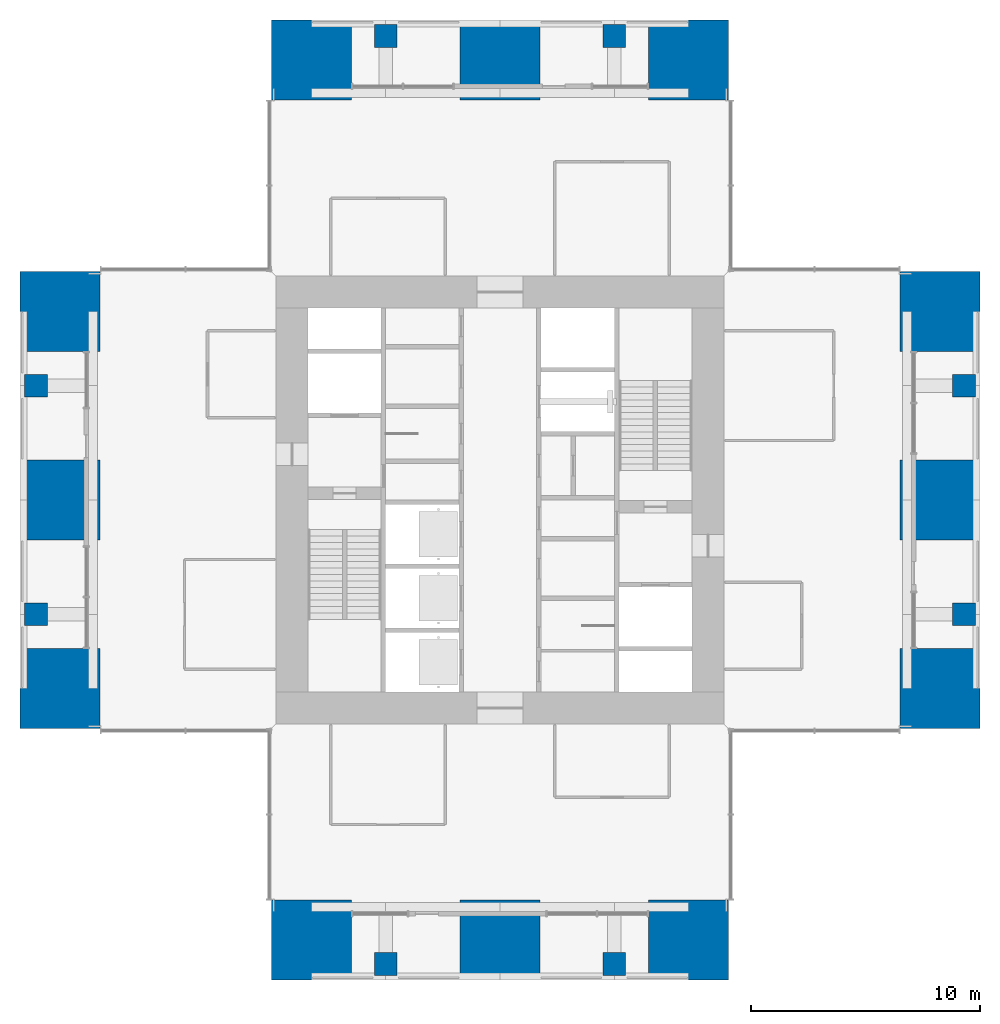
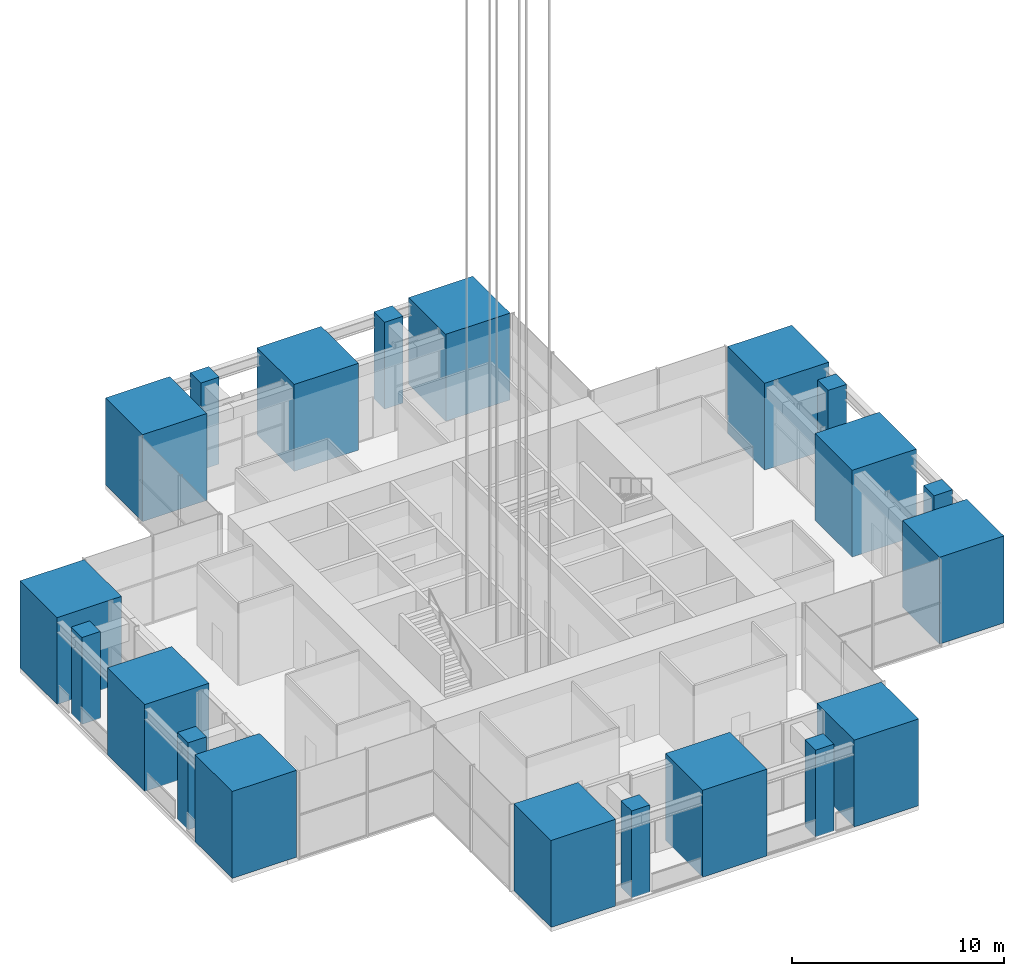
# One storey, part 1 of 17: 20 columns.
"""IFC4 building model written with IfcOpenShell, lengths in metres."""

import ifcopenshell
import ifcopenshell.guid

model = None  # the IFC model being written
_history = None  # IfcOwnerHistory: only IFC2X3 demands one
_inside = {}  # id of a spatial element -> (the spatial element, [elements in it])
_under = {}  # id of a project, library or spatial element -> (it, [spatial elements below it])
_declared = {}  # id of a project -> (the project, [libraries it declares])
_typed = {}  # id of a type object -> (the type object, [elements of that type])
_made_of = {}  # id of a material, layer set ... -> (it, [elements and type objects made of it])


def new_model(schema):
    """Start an empty IFC model of exactly this schema.

    Asked for "IFC4X3", IfcOpenShell would pick the latest addendum, in which some entities
    have other attributes; the version numbers below select the first issue.
    IFC2X3 requires an IfcOwnerHistory on every rooted entity: one is made here for all.
    """
    global model, _history
    if schema == "IFC4X3":
        model = ifcopenshell.file(schema_version=(4, 3, 0, 0))
    else:
        model = ifcopenshell.file(schema=schema)
    _inside.clear()
    _under.clear()
    _declared.clear()
    _typed.clear()
    _made_of.clear()
    _history = None
    if model.schema == "IFC2X3":
        org = make("IfcOrganization", Name="unknown")
        user = make(
            "IfcPersonAndOrganization",
            ThePerson=make("IfcPerson", FamilyName="unknown"),
            TheOrganization=org,
        )
        app = make(
            "IfcApplication",
            ApplicationDeveloper=org,
            Version="unknown",
            ApplicationFullName="unknown",
            ApplicationIdentifier="unknown",
        )
        _history = make(
            "IfcOwnerHistory",
            OwningUser=user,
            OwningApplication=app,
            ChangeAction="ADDED",
            CreationDate=0,
        )
    return model


def make(cls, **values):
    """One entity of the class cls with the attributes given. An attribute that is None is left unset."""
    return model.create_entity(
        cls, **{name: value for name, value in values.items() if value is not None}
    )


def rooted(cls, **values):
    """An entity with a GlobalId (a new one), such as an element, a storey or a relation."""
    return make(cls, GlobalId=ifcopenshell.guid.new(), OwnerHistory=_history, **values)


def si_unit(unit_type, name, prefix=None):
    """IfcSIUnit, for example si_unit("LENGTHUNIT", "METRE", prefix="MILLI")."""
    return make("IfcSIUnit", UnitType=unit_type, Prefix=prefix, Name=name)


def assignment(units):
    """IfcUnitAssignment: the units of a project."""
    return None if units is None else make("IfcUnitAssignment", Units=units)


def point(xyz):
    """IfcCartesianPoint."""
    return None if xyz is None else make("IfcCartesianPoint", Coordinates=xyz)


def direction(xyz):
    """IfcDirection."""
    return None if xyz is None else make("IfcDirection", DirectionRatios=xyz)


def frame(location, z_axis=None, x_axis=None):
    """IfcAxis2Placement3D, a coordinate frame: its origin and axes. An axis left out is left unset."""
    return make(
        "IfcAxis2Placement3D",
        Location=point(location),
        Axis=direction(z_axis),
        RefDirection=direction(x_axis),
    )


def frame_2d(location, x_axis=None):
    """IfcAxis2Placement2D, a coordinate frame in the plane: its origin and x axis."""
    return make(
        "IfcAxis2Placement2D", Location=point(location), RefDirection=direction(x_axis)
    )


def origin():
    """The frame at (0, 0, 0) with its axes left unset."""
    return frame((0.0, 0.0, 0.0))


def origin_2d():
    """The frame at (0, 0) in the plane with its x axis left unset."""
    return frame_2d((0.0, 0.0))


def place(relative_to, where):
    """IfcLocalPlacement: puts the frame where relative to a parent placement (None: the world)."""
    return make(
        "IfcLocalPlacement", PlacementRelTo=relative_to, RelativePlacement=where
    )


def context(
    kind, dimensions, precision=None, world=None, true_north=None, identifier=None
):
    """IfcGeometricRepresentationContext, for example the 3D "Model" context."""
    return make(
        "IfcGeometricRepresentationContext",
        ContextIdentifier=identifier,
        ContextType=kind,
        CoordinateSpaceDimension=dimensions,
        Precision=precision,
        WorldCoordinateSystem=world,
        TrueNorth=true_north,
    )


def subcontext(parent, identifier, kind, view, scale=None):
    """IfcGeometricRepresentationSubContext, for example "Body" below "Model"."""
    return make(
        "IfcGeometricRepresentationSubContext",
        ContextIdentifier=identifier,
        ContextType=kind,
        ParentContext=parent,
        TargetScale=scale,
        TargetView=view,
    )


def project(units=None, contexts=None):
    """IfcProject with its units and contexts."""
    return rooted(
        "IfcProject",
        Name="project",
        RepresentationContexts=contexts,
        UnitsInContext=assignment(units),
    )


def spatial(cls, under=None, at=None, **own):
    """A site, building, storey or space (cls), placed at a placement, below another one or the project."""
    s = rooted(cls, ObjectPlacement=at, **own)
    if under is not None:
        _under.setdefault(under.id(), (under, []))[1].append(s)
    return s


def profile(cls, at=None, kind="AREA", **sizes):
    """A parametric profile (cls). Its sizes go by their IFC names, for example OverallWidth=200.0."""
    return make(cls, ProfileType=kind, Position=at, **sizes)


def rectangle(**sizes):
    """IfcRectangleProfileDef."""
    return profile("IfcRectangleProfileDef", **sizes)


def extrude(swept, where, along, depth):
    """IfcExtrudedAreaSolid: the profile swept, set in the frame where, extruded along a direction by depth."""
    return make(
        "IfcExtrudedAreaSolid",
        SweptArea=swept,
        Position=where,
        ExtrudedDirection=direction(along),
        Depth=depth,
    )


def shape(context_of_items, identifier, shape_type, items):
    """IfcShapeRepresentation: the items that make up one representation, for example the "Body"."""
    return make(
        "IfcShapeRepresentation",
        ContextOfItems=context_of_items,
        RepresentationIdentifier=identifier,
        RepresentationType=shape_type,
        Items=items,
    )


def material(Name=None, Category=None):
    """IfcMaterial."""
    return make("IfcMaterial", Name=Name, Category=Category)


def material_profile(
    of_material, cross_section, Name=None, Category=None, Priority=None
):
    """IfcMaterialProfile: a cross section and its material."""
    return make(
        "IfcMaterialProfile",
        Name=Name,
        Material=of_material,
        Profile=cross_section,
        Priority=Priority,
        Category=Category,
    )


def profile_set(profiles, Name=None, composite=None):
    """IfcMaterialProfileSet."""
    return make(
        "IfcMaterialProfileSet",
        Name=Name,
        MaterialProfiles=profiles,
        CompositeProfile=composite,
    )


def made_of(thing, what):
    """Note that an element or type object is made of a material, layer set ...; save() writes the relation."""
    if what is not None:
        _made_of.setdefault(what.id(), (what, []))[1].append(thing)
    return thing


def type_object(cls, material=None, **own):
    """A type object (cls), such as IfcWallType, which elements share."""
    return made_of(rooted(cls, **own), material)


def element(
    cls,
    number,
    at=None,
    inside=None,
    cuts=None,
    type_object=None,
    material=None,
    context=None,
    identifier="Body",
    shape_type=None,
    held_by="IfcProductDefinitionShape",
    body=None,
    shapes=None,
    **own,
):
    """One element of the class cls, such as IfcWall. Its Tag is "e" and its number.

    at: its placement. inside: the storey or other place that contains it. cuts: it is an
    opening in that element (IfcRelVoidsElement). A single representation is given by context,
    identifier, shape_type and body (its items); several are given by shapes. held_by: the class
    of the entity that holds the representations. save() writes the other relations.
    """
    e = rooted(cls, Tag="e%d" % number, ObjectPlacement=at, **own)
    if body is not None:
        shapes = [shape(context, identifier, shape_type, body)]
    if shapes is not None:
        e.Representation = make(held_by, Representations=shapes)
    if inside is not None:
        _inside.setdefault(inside.id(), (inside, []))[1].append(e)
    if cuts is not None:
        rooted(
            "IfcRelVoidsElement", RelatingBuildingElement=cuts, RelatedOpeningElement=e
        )
    if type_object is not None:
        _typed.setdefault(type_object.id(), (type_object, []))[1].append(e)
    return made_of(e, material)


def aggregate(whole, parts):
    """IfcRelAggregates: a whole, such as a stair, and the parts it consists of."""
    return rooted("IfcRelAggregates", RelatingObject=whole, RelatedObjects=parts)


def save(model, path):
    """Write the relations noted so far, then the file.

    IfcRelAggregates (storeys below a building ...), IfcRelContainedInSpatialStructure (elements
    in a storey), IfcRelDefinesByType, IfcRelAssociatesMaterial and IfcRelDeclares: one each for
    every whole, place, type object, material and project.
    """
    for whole, parts in _under.values():
        aggregate(whole, parts)
    for where, things in _inside.values():
        rooted(
            "IfcRelContainedInSpatialStructure",
            RelatedElements=things,
            RelatingStructure=where,
        )
    for kind, things in _typed.values():
        rooted("IfcRelDefinesByType", RelatedObjects=things, RelatingType=kind)
    for what, things in _made_of.values():
        rooted("IfcRelAssociatesMaterial", RelatedObjects=things, RelatingMaterial=what)
    for by, libraries in _declared.values():
        rooted("IfcRelDeclares", RelatingContext=by, RelatedDefinitions=libraries)
    model.write(path)


model = new_model("IFC4")

# Units and contexts
model_context = context("Model", 3, precision=1e-05, world=origin(), true_north=direction((0.0, 1.0)))
body_context = subcontext(model_context, "Body", "Model", "MODEL_VIEW")
ifc_project = project(units=[si_unit("LENGTHUNIT", "METRE"), si_unit("AREAUNIT", "SQUARE_METRE"), si_unit("VOLUMEUNIT", "CUBIC_METRE"), si_unit("PLANEANGLEUNIT", "RADIAN"), si_unit("MASSUNIT", "GRAM", prefix="KILO")], contexts=[model_context])

# Site, building, storey
site_placement = place(None, origin())
site = spatial("IfcSite", under=ifc_project, at=site_placement, CompositionType="ELEMENT")
building_placement = place(site_placement, origin())
building = spatial("IfcBuilding", under=site, at=building_placement, Name="Svetlomir Tower", CompositionType="ELEMENT")
storey_placement = place(building_placement, frame((0.0, 0.0, 165.5)))
storey = spatial("IfcBuildingStorey", under=building, at=storey_placement, Name="L39", CompositionType="ELEMENT", Elevation=165.5)

# Columns
ifc_material_1 = material(Name="Concrete C60/75", Category="concrete")
ifc_material_profile_1 = material_profile(ifc_material_1, rectangle(XDim=1.0, YDim=1.0, at=origin_2d()), Name="RC 1000x1000")
ifc_profile_set_1 = profile_set([ifc_material_profile_1], Name="Concrete C60/75")
column_type_1 = type_object("IfcColumnType", Name="COLUMN RC 1000x1000", PredefinedType="COLUMN", material=ifc_profile_set_1)
for number, where, z_axis, x_axis, name in (
    (1, (16.0, 0.699951171875, 0.0), (0.0, 0.0, 1.0), (1.0, 0.0, 0.0), "Column 16/0 L39"),
    (2, (26.0, 0.699951171875, 0.0), (0.0, 0.0, 1.0), (1.0, 0.0, 0.0), "Column 26/0 L39"),
    (3, (0.699951171875, 16.0, 0.0), (0.0, 0.0, 1.0), (1.0, 0.0, 0.0), "Column 0/16 L39"),
    (4, (41.300048828125, 16.0, 0.0), (0.0, 0.0, 1.0), (1.0, 0.0, 0.0), "Column 42/16 L39"),
    (5, (0.699951171875, 26.0, 0.0), (0.0, 0.0, 1.0), (1.0, 0.0, 0.0), "Column 0/26 L39"),
    (6, (41.300048828125, 26.0, 0.0), (0.0, 0.0, 1.0), (1.0, 0.0, 0.0), "Column 42/26 L39"),
    (7, (16.0, 41.300048828125, 0.0), (0.0, 0.0, 1.0), (1.0, 0.0, 0.0), "Column 16/42 L39"),
    (8, (26.0, 41.300048828125, 0.0), (0.0, 0.0, 1.0), (1.0, 0.0, 0.0), "Column 26/42 L39"),
):
    element("IfcColumn", number, at=place(storey_placement, frame(where, z_axis=z_axis, x_axis=x_axis)), inside=storey, type_object=column_type_1, Name=name, PredefinedType="COLUMN", context=body_context, shape_type="SweptSolid", body=[
        extrude(rectangle(XDim=1.0, YDim=1.0, at=origin_2d()), origin(), (0.0, 0.0, 1.0), 5.0),
    ])
ifc_material_2 = material(Name="Concrete C60/75", Category="concrete")
ifc_material_profile_2 = material_profile(ifc_material_2, rectangle(XDim=3.5, YDim=3.5, at=origin_2d()), Name="RC 3500x3500")
ifc_profile_set_2 = profile_set([ifc_material_profile_2], Name="Concrete C60/75")
column_type_2 = type_object("IfcColumnType", Name="COLUMN RC 3500x3500", PredefinedType="COLUMN", material=ifc_profile_set_2)
for number, where, z_axis, x_axis, name in (
    (9, (12.75, 1.75, 0.0), (0.0, 0.0, 1.0), (1.0, 0.0, 0.0), "Column 11/0 L39"),
    (10, (21.0, 1.75, 0.0), (0.0, 0.0, 1.0), (1.0, 0.0, 0.0), "Column 21/0 L39"),
    (11, (29.25, 1.75, 0.0), (0.0, 0.0, 1.0), (1.0, 0.0, 0.0), "Column 31/0 L39"),
    (12, (1.75, 12.75, 0.0), (0.0, 0.0, 1.0), (1.0, 0.0, 0.0), "Column 0/11 L39"),
    (13, (40.25, 12.75, 0.0), (0.0, 0.0, 1.0), (1.0, 0.0, 0.0), "Column 42/11 L39"),
    (14, (1.75, 21.0, 0.0), (0.0, 0.0, 1.0), (1.0, 0.0, 0.0), "Column 0/21 L39"),
    (15, (40.25, 21.0, 0.0), (0.0, 0.0, 1.0), (1.0, 0.0, 0.0), "Column 42/21 L39"),
    (16, (1.75, 29.25, 0.0), (0.0, 0.0, 1.0), (1.0, 0.0, 0.0), "Column 0/31 L39"),
    (17, (40.25, 29.25, 0.0), (0.0, 0.0, 1.0), (1.0, 0.0, 0.0), "Column 42/31 L39"),
    (18, (12.75, 40.25, 0.0), (0.0, 0.0, 1.0), (1.0, 0.0, 0.0), "Column 11/42 L39"),
    (19, (21.0, 40.25, 0.0), (0.0, 0.0, 1.0), (1.0, 0.0, 0.0), "Column 21/42 L39"),
    (20, (29.25, 40.25, 0.0), (0.0, 0.0, 1.0), (1.0, 0.0, 0.0), "Column 31/42 L39"),
):
    element("IfcColumn", number, at=place(storey_placement, frame(where, z_axis=z_axis, x_axis=x_axis)), inside=storey, type_object=column_type_2, Name=name, PredefinedType="COLUMN", context=body_context, shape_type="SweptSolid", body=[
        extrude(rectangle(XDim=3.5, YDim=3.5, at=origin_2d()), origin(), (0.0, 0.0, 1.0), 5.0),
    ])

save(model, "model.ifc")
